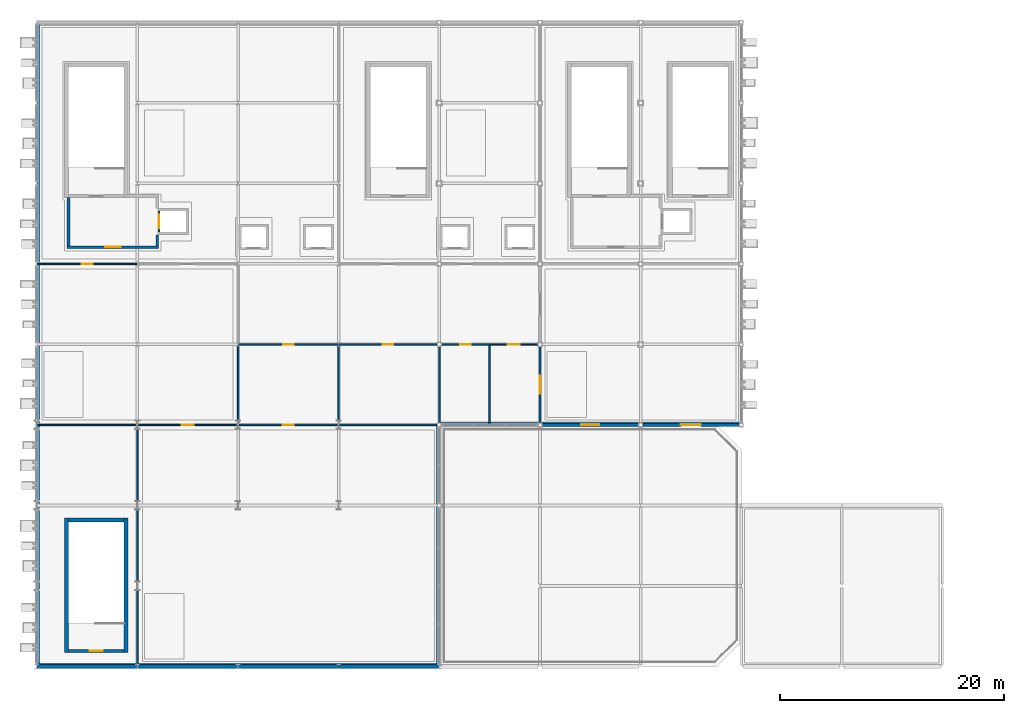
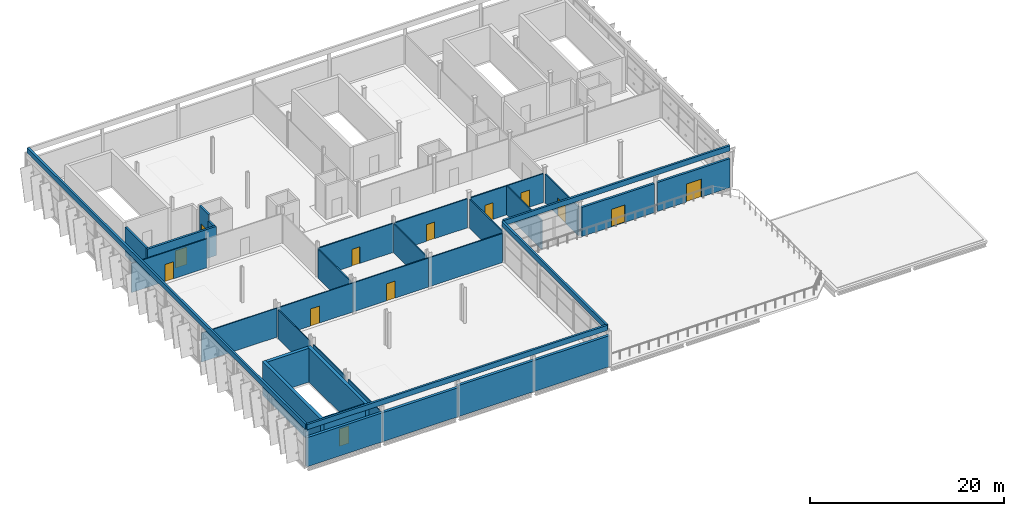
# One storey, part 46 of 52: 35 walls, 13 doors, 13 openings.
"""IFC4 building model written with IfcOpenShell, lengths in metres."""

from ifc_helpers import new_model, si_unit, direction, frame, frame_2d, origin, place, context, subcontext, project, spatial, rectangle, extrude, material, layer, layer_set, type_object, element, fill, save


model = new_model("IFC4")

# Units and contexts
model_context = context("Model", 3, precision=1e-05, world=origin(), true_north=direction((0.0, 1.0)))
body_context = subcontext(model_context, "Body", "Model", "MODEL_VIEW")
ifc_project = project(units=[si_unit("LENGTHUNIT", "METRE"), si_unit("AREAUNIT", "SQUARE_METRE"), si_unit("VOLUMEUNIT", "CUBIC_METRE"), si_unit("PLANEANGLEUNIT", "RADIAN"), si_unit("MASSUNIT", "GRAM", prefix="KILO")], contexts=[model_context])

# Site, building, storey
site_placement = place(None, origin())
site = spatial("IfcSite", under=ifc_project, at=site_placement, CompositionType="ELEMENT")
building_placement = place(site_placement, origin())
building = spatial("IfcBuilding", under=site, at=building_placement, Name="Celestram Park Convention Centre", CompositionType="ELEMENT")
storey_placement = place(building_placement, frame((0.0, 0.0, 24.300048828125)))
storey = spatial("IfcBuildingStorey", under=building, at=storey_placement, Name="L05", CompositionType="ELEMENT", Elevation=24.300048828125)

# Wall, opening, door
ifc_material_1 = material(Name="Concrete Block Masonry C25/30", Category="masonry")
ifc_layer_1 = layer(ifc_material_1, 0.25)
ifc_layer_set_1 = layer_set([ifc_layer_1], Name="Concrete Block Masonry C25/30")
wall_type_1 = type_object("IfcWallType", Name="ARC-WL-COR250", PredefinedType="STANDARD", material=ifc_layer_set_1)
wall_1_placement = place(storey_placement, frame((38.840087890625, 109.375, 0.0), z_axis=(0.0, 0.0, 1.0), x_axis=(1.0, 0.0, 0.0)))
wall_1 = element("IfcWall", 1, at=wall_1_placement, inside=storey, type_object=wall_type_1, Name="Core S13 stair entrance wall", PredefinedType="STANDARD", context=body_context, shape_type="SweptSolid", body=[
    extrude(rectangle(XDim=4.9599609375, YDim=0.25, at=frame_2d((2.47998046875, 0.0))), origin(), (0.0, 0.0, 1.0), 4.260009765625),
])
opening_1_placement = place(wall_1_placement, frame((1.905029296875, 0.0, 0.0)))
opening_1 = element("IfcOpeningElement", 2, at=opening_1_placement, cuts=wall_1, Name="Opening D-ST1", PredefinedType="OPENING", context=body_context, shape_type="SweptSolid", body=[
    extrude(rectangle(XDim=1.14990234375, YDim=2.199951171875, at=frame_2d((0.574951171875, 1.10009765625))), frame((0.0, 0.135009765625, 0.0), z_axis=(0.0, -1.0, 0.0), x_axis=(1.0, 0.0, 0.0)), (0.0, 0.0, 1.0), 0.27001953125),
])
ifc_material_2 = material(Name="Fire-Rated Hollow Metal Steel ASTM A653", Category="steel")
door_type_1 = type_object("IfcDoorType", Name="ARC-DR-ST115", OperationType="NOTDEFINED", PredefinedType="DOOR", material=ifc_material_2)
door_1_placement = place(opening_1_placement, origin())
door_1 = element("IfcDoor", 3, at=door_1_placement, inside=storey, type_object=door_type_1, Name="Exit stair ST-13 fire door", OperationType="SINGLE_SWING_LEFT", OverallHeight=2.199951171875, OverallWidth=1.14990234375, PredefinedType="DOOR", context=body_context, shape_type="SweptSolid", body=[
    extrude(rectangle(XDim=1.14990234375, YDim=2.199951171875, at=frame_2d((0.574951171875, 1.10009765625))), frame((0.0, 0.02490234375, 0.0), z_axis=(0.0, -1.0, 0.0), x_axis=(1.0, 0.0, 0.0)), (0.0, 0.0, 1.0), 0.050048828125),
])
fill(opening_1, door_1)

# Wall
wall_2_placement = place(storey_placement, frame((38.840087890625, 149.93994140625, 0.0), z_axis=(0.0, 0.0, 1.0), x_axis=(0.0, -1.0, 0.0)))
element("IfcWall", 4, at=wall_2_placement, inside=storey, type_object=wall_type_1, Name="Firefighting Lift Lobby C1 W wall", PredefinedType="STANDARD", context=body_context, shape_type="SweptSolid", body=[
    extrude(rectangle(XDim=4.31494140625, YDim=0.25, at=frame_2d((2.157470703125, 0.0))), origin(), (0.0, 0.0, 1.0), 3.64794921875),
])

# Wall, opening, door
wall_3_placement = place(storey_placement, frame((38.715087890625, 145.5, 0.0), z_axis=(0.0, 0.0, 1.0), x_axis=(1.0, 0.0, 0.0)))
wall_3 = element("IfcWall", 5, at=wall_3_placement, inside=storey, type_object=wall_type_1, Name="Firefighting Lift Lobby C1 S wall", PredefinedType="STANDARD", context=body_context, shape_type="SweptSolid", body=[
    extrude(rectangle(XDim=8.18994140625, YDim=0.25, at=frame_2d((4.094970703125, 0.0))), origin(), (0.0, 0.0, 1.0), 3.64794921875),
])
opening_2_placement = place(wall_3_placement, frame((3.39501953125, 0.0, 0.0)))
opening_2 = element("IfcOpeningElement", 6, at=opening_2_placement, cuts=wall_3, Name="Opening D-LB1", PredefinedType="OPENING", context=body_context, shape_type="SweptSolid", body=[
    extrude(rectangle(XDim=1.39990234375, YDim=2.199951171875, at=frame_2d((0.699951171875, 1.10009765625))), frame((0.0, 0.135009765625, 0.0), z_axis=(0.0, -1.0, 0.0), x_axis=(1.0, 0.0, 0.0)), (0.0, 0.0, 1.0), 0.27001953125),
])
ifc_material_3 = material(Name="Fire-Rated Glazed Steel Frame", Category="steel")
door_type_2 = type_object("IfcDoorType", Name="ARC-DR-LB140", OperationType="NOTDEFINED", PredefinedType="DOOR", material=ifc_material_3)
door_2_placement = place(opening_2_placement, origin())
door_2 = element("IfcDoor", 7, at=door_2_placement, inside=storey, type_object=door_type_2, Name="Firefighting Lift Lobby C1 fire door", OperationType="SINGLE_SWING_RIGHT", OverallHeight=2.199951171875, OverallWidth=1.39990234375, PredefinedType="DOOR", context=body_context, shape_type="SweptSolid", body=[
    extrude(rectangle(XDim=1.39990234375, YDim=2.199951171875, at=frame_2d((0.699951171875, 1.10009765625))), frame((0.0, 0.02490234375, 0.0), z_axis=(0.0, -1.0, 0.0), x_axis=(1.0, 0.0, 0.0)), (0.0, 0.0, 1.0), 0.050048828125),
])
fill(opening_2, door_2)

# Wall
wall_4_placement = place(storey_placement, frame((46.780029296875, 145.625, 0.0), z_axis=(0.0, 0.0, 1.0), x_axis=(0.0, 1.0, 0.0)))
element("IfcWall", 8, at=wall_4_placement, inside=storey, type_object=wall_type_1, Name="Firefighting Lift Lobby C1 ES wall", PredefinedType="STANDARD", context=body_context, shape_type="SweptSolid", body=[
    extrude(rectangle(XDim=0.97509765625, YDim=0.25, at=frame_2d((0.487548828125, 0.0))), origin(), (0.0, 0.0, 1.0), 3.64794921875),
])

# Wall, opening, door
ifc_material_4 = material(Name="Precast Concrete C40/50", Category="concrete")
ifc_layer_2 = layer(ifc_material_4, 0.260009765625)
ifc_layer_set_2 = layer_set([ifc_layer_2], Name="Precast Concrete C40/50")
wall_type_2 = type_object("IfcWallType", Name="ARC-WL-EXT260", PredefinedType="STANDARD", material=ifc_layer_set_2)
wall_5_placement = place(storey_placement, frame((98.801025390625, 129.60009765625, 0.0), z_axis=(0.0, 0.0, 1.0), x_axis=(-1.0, 0.0, 0.0)))
wall_5 = element("IfcWall", 9, at=wall_5_placement, inside=storey, type_object=wall_type_2, Name="Bush-hammered precast exterior wall WL-L05-EW246", PredefinedType="STANDARD", context=body_context, shape_type="SweptSolid", body=[
    extrude(rectangle(XDim=8.60205078125, YDim=0.260009765625, at=frame_2d((4.301025390625, 0.0))), origin(), (0.0, 0.0, 1.0), 3.64794921875),
])
opening_3_placement = place(wall_5_placement, frame((3.40087890625, 0.0, 0.0)))
opening_3 = element("IfcOpeningElement", 10, at=opening_3_placement, cuts=wall_5, Name="Opening D-TR1", PredefinedType="OPENING", context=body_context, shape_type="SweptSolid", body=[
    extrude(rectangle(XDim=1.800048828125, YDim=2.25, at=frame_2d((0.89990234375, 1.125))), frame((0.0, 0.139892578125, 0.0), z_axis=(0.0, -1.0, 0.0), x_axis=(1.0, 0.0, 0.0)), (0.0, 0.0, 1.0), 0.280029296875),
])
ifc_material_5 = material(Name="Anodised Aluminium & Tempered Glass", Category="aluminium")
door_type_3 = type_object("IfcDoorType", Name="ARC-DR-TR1800", OperationType="NOTDEFINED", PredefinedType="DOOR", material=ifc_material_5)
door_3_placement = place(opening_3_placement, origin())
door_3 = element("IfcDoor", 11, at=door_3_placement, inside=storey, type_object=door_type_3, Name="Planted roof terrace door DR-L05-TR01", OperationType="DOUBLE_DOOR_SINGLE_SWING", OverallHeight=2.25, OverallWidth=1.800048828125, PredefinedType="DOOR", context=body_context, shape_type="SweptSolid", body=[
    extrude(rectangle(XDim=1.800048828125, YDim=2.25, at=frame_2d((0.89990234375, 1.125))), frame((0.0, 0.02490234375, 0.0), z_axis=(0.0, -1.0, 0.0), x_axis=(1.0, 0.0, 0.0)), (0.0, 0.0, 1.0), 0.050048828125),
])
fill(opening_3, door_3)

wall_6_placement = place(storey_placement, frame((89.801025390625, 129.60009765625, 0.0), z_axis=(0.0, 0.0, 1.0), x_axis=(-1.0, 0.0, 0.0)))
wall_6 = element("IfcWall", 12, at=wall_6_placement, inside=storey, type_object=wall_type_2, Name="Bush-hammered precast exterior wall WL-L05-EW247", PredefinedType="STANDARD", context=body_context, shape_type="SweptSolid", body=[
    extrude(rectangle(XDim=8.60205078125, YDim=0.260009765625, at=frame_2d((4.301025390625, 0.0))), origin(), (0.0, 0.0, 1.0), 3.64794921875),
])
opening_4_placement = place(wall_6_placement, frame((3.5009765625, 0.0, 0.0)))
opening_4 = element("IfcOpeningElement", 13, at=opening_4_placement, cuts=wall_6, Name="Opening D-TR2", PredefinedType="OPENING", context=body_context, shape_type="SweptSolid", body=[
    extrude(rectangle(XDim=1.60009765625, YDim=2.199951171875, at=frame_2d((0.800048828125, 1.10009765625))), frame((0.0, 0.139892578125, 0.0), z_axis=(0.0, -1.0, 0.0), x_axis=(1.0, 0.0, 0.0)), (0.0, 0.0, 1.0), 0.280029296875),
])
door_type_4 = type_object("IfcDoorType", Name="ARC-DR-TR1600", OperationType="NOTDEFINED", PredefinedType="DOOR", material=ifc_material_5)
door_4_placement = place(opening_4_placement, origin())
door_4 = element("IfcDoor", 14, at=door_4_placement, inside=storey, type_object=door_type_4, Name="Planted roof terrace door DR-L05-TR02", OperationType="DOUBLE_DOOR_SINGLE_SWING", OverallHeight=2.199951171875, OverallWidth=1.60009765625, PredefinedType="DOOR", context=body_context, shape_type="SweptSolid", body=[
    extrude(rectangle(XDim=1.60009765625, YDim=2.199951171875, at=frame_2d((0.800048828125, 1.10009765625))), frame((0.0, 0.02490234375, 0.0), z_axis=(0.0, -1.0, 0.0), x_axis=(1.0, 0.0, 0.0)), (0.0, 0.0, 1.0), 0.050048828125),
])
fill(opening_4, door_4)

# Walls
ifc_layer_3 = layer(ifc_material_4, 0.320068359375)
ifc_layer_set_3 = layer_set([ifc_layer_3], Name="Precast Concrete C40/50")
wall_type_3 = type_object("IfcWallType", Name="ARC-WL-EXT320", PredefinedType="STANDARD", material=ifc_layer_set_3)
for number, where, z_axis, x_axis, name in (
    (15, (71.993896484375, 108.0, 0.0), (0.0, 0.0, 1.0), (-1.0, 0.0, 0.0), "Bush-hammered precast exterior wall WL-L05-EW235"),
    (16, (62.993896484375, 108.0, 0.0), (0.0, 0.0, 1.0), (-1.0, 0.0, 0.0), "Bush-hammered precast exterior wall WL-L05-EW236"),
):
    element("IfcWall", number, at=place(storey_placement, frame(where, z_axis=z_axis, x_axis=x_axis)), inside=storey, type_object=wall_type_3, Name=name, PredefinedType="STANDARD", context=body_context, shape_type="SweptSolid", body=[
        extrude(rectangle(XDim=8.98779296875, YDim=0.320068359375, at=frame_2d((4.493896484375, 0.0))), origin(), (0.0, 0.0, 1.0), 3.904052734375),
    ])
for number, where, z_axis, x_axis, name in (
    (17, (53.993896484375, 108.0, 0.0), (0.0, 0.0, 1.0), (-1.0, 0.0, 0.0), "Bush-hammered precast exterior wall WL-L05-EW237"),
    (18, (44.993896484375, 108.0, 0.0), (0.0, 0.0, 1.0), (-1.0, 0.0, 0.0), "Bush-hammered precast exterior wall WL-L05-EW238"),
):
    element("IfcWall", number, at=place(storey_placement, frame(where, z_axis=z_axis, x_axis=x_axis)), inside=storey, type_object=wall_type_3, Name=name, PredefinedType="STANDARD", context=body_context, shape_type="SweptSolid", body=[
        extrude(rectangle(XDim=8.98779296875, YDim=0.320068359375, at=frame_2d((4.493896484375, 0.0))), origin(), (0.0, 0.0, 1.0), 3.64794921875),
    ])
ifc_layer_4 = layer(ifc_material_4, 0.239990234375)
ifc_layer_set_4 = layer_set([ifc_layer_4], Name="Precast Concrete C40/50")
wall_type_4 = type_object("IfcWallType", Name="ARC-WL-PAR240", PredefinedType="PARAPET", material=ifc_layer_set_4)
wall_7_placement = place(storey_placement, frame((98.860107421875, 129.739990234375, 4.5), z_axis=(0.0, 0.0, 1.0), x_axis=(-1.0, 0.0, 0.0)))
element("IfcWall", 19, at=wall_7_placement, inside=storey, type_object=wall_type_4, Name="Flat roof parapet WL-L05-PR17", PredefinedType="PARAPET", context=body_context, shape_type="SweptSolid", body=[
    extrude(rectangle(XDim=26.860107421875, YDim=0.239990234375, at=frame_2d((13.43017578125, 0.0))), origin(), (0.0, 0.0, 1.0), 0.64990234375),
])
wall_8_placement = place(storey_placement, frame((71.860107421875, 129.60009765625, 4.5), z_axis=(0.0, 0.0, 1.0), x_axis=(0.0, -1.0, 0.0)))
element("IfcWall", 20, at=wall_8_placement, inside=storey, type_object=wall_type_4, Name="Flat roof parapet WL-L05-PR18", PredefinedType="PARAPET", context=body_context, shape_type="SweptSolid", body=[
    extrude(rectangle(XDim=21.460205078125, YDim=0.239990234375, at=frame_2d((10.72998046875, 0.0))), origin(), (0.0, 0.0, 1.0), 0.64990234375),
])
wall_9_placement = place(storey_placement, frame((71.860107421875, 108.139892578125, 4.5), z_axis=(0.0, 0.0, 1.0), x_axis=(-1.0, 0.0, 0.0)))
element("IfcWall", 21, at=wall_9_placement, inside=storey, type_object=wall_type_4, Name="Flat roof parapet WL-L05-PR19", PredefinedType="PARAPET", context=body_context, shape_type="SweptSolid", body=[
    extrude(rectangle(XDim=35.72021484375, YDim=0.239990234375, at=frame_2d((17.860107421875, 0.0))), origin(), (0.0, 0.0, 1.0), 0.64990234375),
])
wall_10_placement = place(storey_placement, frame((36.139892578125, 108.139892578125, 4.5), z_axis=(0.0, 0.0, 1.0), x_axis=(0.0, 1.0, 0.0)))
element("IfcWall", 22, at=wall_10_placement, inside=storey, type_object=wall_type_4, Name="Flat roof parapet WL-L05-PR20", PredefinedType="PARAPET", context=body_context, shape_type="SweptSolid", body=[
    extrude(rectangle(XDim=57.320068359375, YDim=0.239990234375, at=frame_2d((28.66015625, 0.0))), origin(), (0.0, 0.0, 1.0), 0.64990234375),
])
ifc_material_6 = material(Name="Standard Gypsum & Steel Stud 120 mm", Category="steel")
ifc_layer_5 = layer(ifc_material_6, 0.1201171875)
ifc_layer_set_5 = layer_set([ifc_layer_5], Name="Standard Gypsum & Steel Stud 120 mm")
wall_type_5 = type_object("IfcWallType", Name="ARC-WL-PRT120", PredefinedType="PARTITIONING", material=ifc_layer_set_5)
wall_11_placement = place(storey_placement, frame((36.00634765625, 129.60009765625, 0.0), z_axis=(0.0, 0.0, 1.0), x_axis=(1.0, 0.0, 0.0)))
element("IfcWall", 23, at=wall_11_placement, inside=storey, type_object=wall_type_5, Name="Interior partition WL-L05-IN0985", PredefinedType="PARTITIONING", context=body_context, shape_type="SweptSolid", body=[
    extrude(rectangle(XDim=8.9873046875, YDim=0.1201171875, at=frame_2d((4.49365234375, 0.0))), origin(), (0.0, 0.0, 1.0), 3.64794921875),
])

# Wall, opening, door
wall_12_placement = place(storey_placement, frame((45.00634765625, 129.60009765625, 0.0), z_axis=(0.0, 0.0, 1.0), x_axis=(1.0, 0.0, 0.0)))
wall_12 = element("IfcWall", 24, at=wall_12_placement, inside=storey, type_object=wall_type_5, Name="Interior partition WL-L05-IN0986", PredefinedType="PARTITIONING", context=body_context, shape_type="SweptSolid", body=[
    extrude(rectangle(XDim=8.9873046875, YDim=0.1201171875, at=frame_2d((4.49365234375, 0.0))), origin(), (0.0, 0.0, 1.0), 3.64794921875),
])
opening_5_placement = place(wall_12_placement, frame((3.96875, 0.0, 0.0)))
opening_5 = element("IfcOpeningElement", 25, at=opening_5_placement, cuts=wall_12, Name="Opening D-06", PredefinedType="OPENING", context=body_context, shape_type="SweptSolid", body=[
    extrude(rectangle(XDim=1.050048828125, YDim=2.14990234375, at=frame_2d((0.52490234375, 1.074951171875))), frame((0.0, 0.070068359375, 0.0), z_axis=(0.0, -1.0, 0.0), x_axis=(1.0, 0.0, 0.0)), (0.0, 0.0, 1.0), 0.14013671875),
])
ifc_material_7 = material(Name="Solid Core White Oak Single Door", Category="wood")
door_type_5 = type_object("IfcDoorType", Name="ARC-DR-RM105", OperationType="NOTDEFINED", PredefinedType="DOOR", material=ifc_material_7)
door_5_placement = place(opening_5_placement, origin())
door_5 = element("IfcDoor", 26, at=door_5_placement, inside=storey, type_object=door_type_5, Name="Crown Speaker Lounge entrance door", OperationType="SINGLE_SWING_LEFT", OverallHeight=2.14990234375, OverallWidth=1.050048828125, PredefinedType="DOOR", context=body_context, shape_type="SweptSolid", body=[
    extrude(rectangle(XDim=1.050048828125, YDim=2.14990234375, at=frame_2d((0.52490234375, 1.074951171875))), frame((0.0, 0.02490234375, 0.0), z_axis=(0.0, -1.0, 0.0), x_axis=(1.0, 0.0, 0.0)), (0.0, 0.0, 1.0), 0.050048828125),
])
fill(opening_5, door_5)

wall_13_placement = place(storey_placement, frame((76.5, 136.800048828125, 0.0), z_axis=(0.0, 0.0, 1.0), x_axis=(1.0, 0.0, 0.0)))
wall_13 = element("IfcWall", 27, at=wall_13_placement, inside=storey, type_object=wall_type_5, Name="Interior partition WL-L05-IN0992", PredefinedType="PARTITIONING", context=body_context, shape_type="SweptSolid", body=[
    extrude(rectangle(XDim=4.301025390625, YDim=0.1201171875, at=frame_2d((2.150390625, 0.0))), origin(), (0.0, 0.0, 1.0), 3.64794921875),
])
opening_6_placement = place(wall_13_placement, frame((1.62548828125, 0.0, 0.0)))
opening_6 = element("IfcOpeningElement", 28, at=opening_6_placement, cuts=wall_13, Name="Opening D-06", PredefinedType="OPENING", context=body_context, shape_type="SweptSolid", body=[
    extrude(rectangle(XDim=1.050048828125, YDim=2.14990234375, at=frame_2d((0.52490234375, 1.074951171875))), frame((0.0, 0.070068359375, 0.0), z_axis=(0.0, -1.0, 0.0), x_axis=(1.0, 0.0, 0.0)), (0.0, 0.0, 1.0), 0.14013671875),
])
door_6_placement = place(opening_6_placement, origin())
door_6 = element("IfcDoor", 29, at=door_6_placement, inside=storey, type_object=door_type_5, Name="Crown Protocol Office L05 entrance door", OperationType="SINGLE_SWING_RIGHT", OverallHeight=2.14990234375, OverallWidth=1.050048828125, PredefinedType="DOOR", context=body_context, shape_type="SweptSolid", body=[
    extrude(rectangle(XDim=1.050048828125, YDim=2.14990234375, at=frame_2d((0.52490234375, 1.074951171875))), frame((0.0, 0.02490234375, 0.0), z_axis=(0.0, -1.0, 0.0), x_axis=(1.0, 0.0, 0.0)), (0.0, 0.0, 1.0), 0.050048828125),
])
fill(opening_6, door_6)

wall_14_placement = place(storey_placement, frame((36.0048828125, 144.0, 0.0), z_axis=(0.0, 0.0, 1.0), x_axis=(1.0, 0.0, 0.0)))
wall_14 = element("IfcWall", 30, at=wall_14_placement, inside=storey, type_object=wall_type_5, Name="Interior partition WL-L05-IN0993", PredefinedType="PARTITIONING", context=body_context, shape_type="SweptSolid", body=[
    extrude(rectangle(XDim=8.990234375, YDim=0.1201171875, at=frame_2d((4.4951171875, 0.0))), origin(), (0.0, 0.0, 1.0), 3.64794921875),
])
opening_7_placement = place(wall_14_placement, frame((3.9951171875, 0.0, 0.0)))
opening_7 = element("IfcOpeningElement", 31, at=opening_7_placement, cuts=wall_14, Name="Opening D-07", PredefinedType="OPENING", context=body_context, shape_type="SweptSolid", body=[
    extrude(rectangle(XDim=1.0, YDim=2.14990234375, at=frame_2d((0.5, 1.074951171875))), frame((0.0, 0.070068359375, 0.0), z_axis=(0.0, -1.0, 0.0), x_axis=(1.0, 0.0, 0.0)), (0.0, 0.0, 1.0), 0.14013671875),
])
door_type_6 = type_object("IfcDoorType", Name="ARC-DR-RM100", OperationType="NOTDEFINED", PredefinedType="DOOR", material=ifc_material_7)
door_7_placement = place(opening_7_placement, origin())
door_7 = element("IfcDoor", 32, at=door_7_placement, inside=storey, type_object=door_type_6, Name="Lake Michigan Horizon Dining Salon entrance door", OperationType="SINGLE_SWING_LEFT", OverallHeight=2.14990234375, OverallWidth=1.0, PredefinedType="DOOR", context=body_context, shape_type="SweptSolid", body=[
    extrude(rectangle(XDim=1.0, YDim=2.14990234375, at=frame_2d((0.5, 1.074951171875))), frame((0.0, 0.02490234375, 0.0), z_axis=(0.0, -1.0, 0.0), x_axis=(1.0, 0.0, 0.0)), (0.0, 0.0, 1.0), 0.050048828125),
])
fill(opening_7, door_7)

# Walls
wall_15_placement = place(storey_placement, frame((45.0, 108.1845703125, 0.0), z_axis=(0.0, 0.0, 1.0), x_axis=(0.0, 1.0, 0.0)))
element("IfcWall", 33, at=wall_15_placement, inside=storey, type_object=wall_type_5, Name="Interior partition WL-L05-IN1000", PredefinedType="PARTITIONING", context=body_context, shape_type="SweptSolid", body=[
    extrude(rectangle(XDim=6.63134765625, YDim=0.1201171875, at=frame_2d((3.315673828125, 0.0))), origin(), (0.0, 0.0, 1.0), 3.64794921875),
])
for number, where, z_axis, x_axis, name in (
    (34, (45.0, 115.583984375, 0.0), (0.0, 0.0, 1.0), (0.0, 1.0, 0.0), "Interior partition WL-L05-IN1001"),
    (35, (45.0, 122.783935546875, 0.0), (0.0, 0.0, 1.0), (0.0, 1.0, 0.0), "Interior partition WL-L05-IN1002"),
):
    element("IfcWall", number, at=place(storey_placement, frame(where, z_axis=z_axis, x_axis=x_axis)), inside=storey, type_object=wall_type_5, Name=name, PredefinedType="PARTITIONING", context=body_context, shape_type="SweptSolid", body=[
        extrude(rectangle(XDim=6.43212890625, YDim=0.1201171875, at=frame_2d((3.216064453125, 0.0))), origin(), (0.0, 0.0, 1.0), 3.64794921875),
    ])

# Wall, opening, door
ifc_material_8 = material(Name="Moisture-Resistant Gypsum Partition 140 mm", Category="gypsum")
ifc_layer_6 = layer(ifc_material_8, 0.139892578125)
ifc_layer_set_6 = layer_set([ifc_layer_6], Name="Moisture-Resistant Gypsum Partition 140 mm")
wall_type_6 = type_object("IfcWallType", Name="ARC-WL-PRT140", PredefinedType="PARTITIONING", material=ifc_layer_set_6)
wall_16_placement = place(storey_placement, frame((54.00634765625, 129.60009765625, 0.0), z_axis=(0.0, 0.0, 1.0), x_axis=(1.0, 0.0, 0.0)))
wall_16 = element("IfcWall", 36, at=wall_16_placement, inside=storey, type_object=wall_type_6, Name="Interior partition WL-L05-IN0987", PredefinedType="PARTITIONING", context=body_context, shape_type="SweptSolid", body=[
    extrude(rectangle(XDim=8.9873046875, YDim=0.139892578125, at=frame_2d((4.49365234375, 0.0))), origin(), (0.0, 0.0, 1.0), 3.64794921875),
])
opening_8_placement = place(wall_16_placement, frame((3.99365234375, 0.0, 0.0)))
opening_8 = element("IfcOpeningElement", 37, at=opening_8_placement, cuts=wall_16, Name="Opening D-07", PredefinedType="OPENING", context=body_context, shape_type="SweptSolid", body=[
    extrude(rectangle(XDim=1.0, YDim=2.14990234375, at=frame_2d((0.5, 1.074951171875))), frame((0.0, 0.079833984375, 0.0), z_axis=(0.0, -1.0, 0.0), x_axis=(1.0, 0.0, 0.0)), (0.0, 0.0, 1.0), 0.159912109375),
])
door_8_placement = place(opening_8_placement, origin())
door_8 = element("IfcDoor", 38, at=door_8_placement, inside=storey, type_object=door_type_6, Name="Crown Speaker Lounge entrance door", OperationType="SINGLE_SWING_RIGHT", OverallHeight=2.14990234375, OverallWidth=1.0, PredefinedType="DOOR", context=body_context, shape_type="SweptSolid", body=[
    extrude(rectangle(XDim=1.0, YDim=2.14990234375, at=frame_2d((0.5, 1.074951171875))), frame((0.0, 0.02490234375, 0.0), z_axis=(0.0, -1.0, 0.0), x_axis=(1.0, 0.0, 0.0)), (0.0, 0.0, 1.0), 0.050048828125),
])
fill(opening_8, door_8)

# Wall
wall_17_placement = place(storey_placement, frame((63.00634765625, 129.60009765625, 0.0), z_axis=(0.0, 0.0, 1.0), x_axis=(1.0, 0.0, 0.0)))
element("IfcWall", 39, at=wall_17_placement, inside=storey, type_object=wall_type_6, Name="Interior partition WL-L05-IN0988", PredefinedType="PARTITIONING", context=body_context, shape_type="SweptSolid", body=[
    extrude(rectangle(XDim=8.794677734375, YDim=0.139892578125, at=frame_2d((4.3974609375, 0.0))), origin(), (0.0, 0.0, 1.0), 3.64794921875),
])

# Wall, opening, door
wall_18_placement = place(storey_placement, frame((54.0048828125, 136.800048828125, 0.0), z_axis=(0.0, 0.0, 1.0), x_axis=(1.0, 0.0, 0.0)))
wall_18 = element("IfcWall", 40, at=wall_18_placement, inside=storey, type_object=wall_type_6, Name="Interior partition WL-L05-IN0989", PredefinedType="PARTITIONING", context=body_context, shape_type="SweptSolid", body=[
    extrude(rectangle(XDim=8.990234375, YDim=0.139892578125, at=frame_2d((4.4951171875, 0.0))), origin(), (0.0, 0.0, 1.0), 3.64794921875),
])
opening_9_placement = place(wall_18_placement, frame((4.02001953125, 0.0, 0.0)))
opening_9 = element("IfcOpeningElement", 41, at=opening_9_placement, cuts=wall_18, Name="Opening D-08", PredefinedType="OPENING", context=body_context, shape_type="SweptSolid", body=[
    extrude(rectangle(XDim=0.949951171875, YDim=2.10009765625, at=frame_2d((0.47509765625, 1.050048828125))), frame((0.0, 0.079833984375, 0.0), z_axis=(0.0, -1.0, 0.0), x_axis=(1.0, 0.0, 0.0)), (0.0, 0.0, 1.0), 0.159912109375),
])
ifc_material_9 = material(Name="Laminate Moisture-Resistant Restroom Door", Category="wood")
door_type_7 = type_object("IfcDoorType", Name="ARC-DR-WC095", OperationType="NOTDEFINED", PredefinedType="DOOR", material=ifc_material_9)
door_9_placement = place(opening_9_placement, origin())
door_9 = element("IfcDoor", 42, at=door_9_placement, inside=storey, type_object=door_type_7, Name="Men Restroom L05 entrance door", OperationType="SINGLE_SWING_LEFT", OverallHeight=2.10009765625, OverallWidth=0.949951171875, PredefinedType="DOOR", context=body_context, shape_type="SweptSolid", body=[
    extrude(rectangle(XDim=0.949951171875, YDim=2.10009765625, at=frame_2d((0.47509765625, 1.050048828125))), frame((0.0, 0.02490234375, 0.0), z_axis=(0.0, -1.0, 0.0), x_axis=(1.0, 0.0, 0.0)), (0.0, 0.0, 1.0), 0.050048828125),
])
fill(opening_9, door_9)

wall_19_placement = place(storey_placement, frame((63.0048828125, 136.800048828125, 0.0), z_axis=(0.0, 0.0, 1.0), x_axis=(1.0, 0.0, 0.0)))
wall_19 = element("IfcWall", 43, at=wall_19_placement, inside=storey, type_object=wall_type_6, Name="Interior partition WL-L05-IN0990", PredefinedType="PARTITIONING", context=body_context, shape_type="SweptSolid", body=[
    extrude(rectangle(XDim=8.796142578125, YDim=0.139892578125, at=frame_2d((4.39794921875, 0.0))), origin(), (0.0, 0.0, 1.0), 3.64794921875),
])
opening_10_placement = place(wall_19_placement, frame((3.923095703125, 0.0, 0.0)))
opening_10 = element("IfcOpeningElement", 44, at=opening_10_placement, cuts=wall_19, Name="Opening D-08", PredefinedType="OPENING", context=body_context, shape_type="SweptSolid", body=[
    extrude(rectangle(XDim=0.949951171875, YDim=2.10009765625, at=frame_2d((0.47509765625, 1.050048828125))), frame((0.0, 0.079833984375, 0.0), z_axis=(0.0, -1.0, 0.0), x_axis=(1.0, 0.0, 0.0)), (0.0, 0.0, 1.0), 0.159912109375),
])
door_10_placement = place(opening_10_placement, origin())
door_10 = element("IfcDoor", 45, at=door_10_placement, inside=storey, type_object=door_type_7, Name="Women Restroom L05 entrance door", OperationType="SINGLE_SWING_RIGHT", OverallHeight=2.10009765625, OverallWidth=0.949951171875, PredefinedType="DOOR", context=body_context, shape_type="SweptSolid", body=[
    extrude(rectangle(XDim=0.949951171875, YDim=2.10009765625, at=frame_2d((0.47509765625, 1.050048828125))), frame((0.0, 0.02490234375, 0.0), z_axis=(0.0, -1.0, 0.0), x_axis=(1.0, 0.0, 0.0)), (0.0, 0.0, 1.0), 0.050048828125),
])
fill(opening_10, door_10)

wall_20_placement = place(storey_placement, frame((72.198974609375, 136.800048828125, 0.0), z_axis=(0.0, 0.0, 1.0), x_axis=(1.0, 0.0, 0.0)))
wall_20 = element("IfcWall", 46, at=wall_20_placement, inside=storey, type_object=wall_type_6, Name="Interior partition WL-L05-IN0991", PredefinedType="PARTITIONING", context=body_context, shape_type="SweptSolid", body=[
    extrude(rectangle(XDim=4.301025390625, YDim=0.139892578125, at=frame_2d((2.150390625, 0.0))), origin(), (0.0, 0.0, 1.0), 3.64794921875),
])
opening_11_placement = place(wall_20_placement, frame((1.675537109375, 0.0, 0.0)))
opening_11 = element("IfcOpeningElement", 47, at=opening_11_placement, cuts=wall_20, Name="Opening D-08", PredefinedType="OPENING", context=body_context, shape_type="SweptSolid", body=[
    extrude(rectangle(XDim=0.949951171875, YDim=2.10009765625, at=frame_2d((0.47509765625, 1.050048828125))), frame((0.0, 0.079833984375, 0.0), z_axis=(0.0, -1.0, 0.0), x_axis=(1.0, 0.0, 0.0)), (0.0, 0.0, 1.0), 0.159912109375),
])
door_11_placement = place(opening_11_placement, origin())
door_11 = element("IfcDoor", 48, at=door_11_placement, inside=storey, type_object=door_type_7, Name="Accessible Restroom L05 entrance door", OperationType="SINGLE_SWING_LEFT", OverallHeight=2.10009765625, OverallWidth=0.949951171875, PredefinedType="DOOR", context=body_context, shape_type="SweptSolid", body=[
    extrude(rectangle(XDim=0.949951171875, YDim=2.10009765625, at=frame_2d((0.47509765625, 1.050048828125))), frame((0.0, 0.02490234375, 0.0), z_axis=(0.0, -1.0, 0.0), x_axis=(1.0, 0.0, 0.0)), (0.0, 0.0, 1.0), 0.050048828125),
])
fill(opening_11, door_11)

# Walls
for number, where, z_axis, x_axis, name in (
    (49, (54.0, 129.98388671875, 0.0), (0.0, 0.0, 1.0), (0.0, 1.0, 0.0), "Interior partition WL-L05-IN1003"),
    (50, (63.0, 129.98388671875, 0.0), (0.0, 0.0, 1.0), (0.0, 1.0, 0.0), "Interior partition WL-L05-IN1005"),
):
    element("IfcWall", number, at=place(storey_placement, frame(where, z_axis=z_axis, x_axis=x_axis)), inside=storey, type_object=wall_type_6, Name=name, PredefinedType="PARTITIONING", context=body_context, shape_type="SweptSolid", body=[
        extrude(rectangle(XDim=6.66455078125, YDim=0.139892578125, at=frame_2d((3.332275390625, 0.0))), origin(), (0.0, 0.0, 1.0), 3.64794921875),
    ])
wall_21_placement = place(storey_placement, frame((72.0, 129.799072265625, 0.0), z_axis=(0.0, 0.0, 1.0), x_axis=(0.0, 1.0, 0.0)))
element("IfcWall", 51, at=wall_21_placement, inside=storey, type_object=wall_type_6, Name="Interior partition WL-L05-IN1009", PredefinedType="PARTITIONING", context=body_context, shape_type="SweptSolid", body=[
    extrude(rectangle(XDim=6.802001953125, YDim=0.139892578125, at=frame_2d((3.40087890625, 0.0))), origin(), (0.0, 0.0, 1.0), 3.64794921875),
])
wall_22_placement = place(storey_placement, frame((76.5, 129.60009765625, 0.0), z_axis=(0.0, 0.0, 1.0), x_axis=(0.0, 1.0, 0.0)))
element("IfcWall", 52, at=wall_22_placement, inside=storey, type_object=wall_type_6, Name="Interior partition WL-L05-IN1010", PredefinedType="PARTITIONING", context=body_context, shape_type="SweptSolid", body=[
    extrude(rectangle(XDim=7.199951171875, YDim=0.139892578125, at=frame_2d((3.60009765625, 0.0))), origin(), (0.0, 0.0, 1.0), 3.64794921875),
])

# Wall, opening, door
ifc_material_10 = material(Name="Acoustic Gypsum & Steel Stud 160 mm", Category="steel")
ifc_layer_7 = layer(ifc_material_10, 0.159912109375)
ifc_layer_set_7 = layer_set([ifc_layer_7], Name="Acoustic Gypsum & Steel Stud 160 mm")
wall_type_7 = type_object("IfcWallType", Name="ARC-WL-PRT160", PredefinedType="PARTITIONING", material=ifc_layer_set_7)
wall_23_placement = place(storey_placement, frame((81.0, 129.799072265625, 0.0), z_axis=(0.0, 0.0, 1.0), x_axis=(0.0, 1.0, 0.0)))
wall_23 = element("IfcWall", 53, at=wall_23_placement, inside=storey, type_object=wall_type_7, Name="Interior partition WL-L05-IN1011", PredefinedType="PARTITIONING", context=body_context, shape_type="SweptSolid", body=[
    extrude(rectangle(XDim=6.802001953125, YDim=0.159912109375, at=frame_2d((3.40087890625, 0.0))), origin(), (0.0, 0.0, 1.0), 3.64794921875),
])
opening_12_placement = place(wall_23_placement, frame((2.60107421875, 0.0, 0.0)))
opening_12 = element("IfcOpeningElement", 54, at=opening_12_placement, cuts=wall_23, Name="Opening D-05", PredefinedType="OPENING", context=body_context, shape_type="SweptSolid", body=[
    extrude(rectangle(XDim=1.60009765625, YDim=2.199951171875, at=frame_2d((0.800048828125, 1.10009765625))), frame((0.0, 0.08984375, 0.0), z_axis=(0.0, -1.0, 0.0), x_axis=(1.0, 0.0, 0.0)), (0.0, 0.0, 1.0), 0.179931640625),
])
ifc_material_11 = material(Name="Solid White Oak Double Door", Category="wood")
door_type_8 = type_object("IfcDoorType", Name="ARC-DR-MTG160", OperationType="NOTDEFINED", PredefinedType="DOOR", material=ifc_material_11)
door_12_placement = place(opening_12_placement, origin())
door_12 = element("IfcDoor", 55, at=door_12_placement, inside=storey, type_object=door_type_8, Name="Crown Summit Assembly Room entrance door", OperationType="DOUBLE_DOOR_SINGLE_SWING", OverallHeight=2.199951171875, OverallWidth=1.60009765625, PredefinedType="DOOR", context=body_context, shape_type="SweptSolid", body=[
    extrude(rectangle(XDim=1.60009765625, YDim=2.199951171875, at=frame_2d((0.800048828125, 1.10009765625))), frame((0.0, 0.02490234375, 0.0), z_axis=(0.0, -1.0, 0.0), x_axis=(1.0, 0.0, 0.0)), (0.0, 0.0, 1.0), 0.050048828125),
])
fill(opening_12, door_12)

ifc_layer_8 = layer(ifc_material_1, 0.219970703125)
ifc_layer_set_8 = layer_set([ifc_layer_8], Name="Concrete Block Masonry C25/30")
wall_type_8 = type_object("IfcWallType", Name="ARC-WL-SHF220", PredefinedType="STANDARD", material=ifc_layer_set_8)
wall_24_placement = place(storey_placement, frame((46.929931640625, 148.735107421875, 0.0), z_axis=(0.0, 0.0, 1.0), x_axis=(0.0, -1.0, 0.0)))
wall_24 = element("IfcWall", 56, at=wall_24_placement, inside=storey, type_object=wall_type_8, Name="Lift LF-01 shaft wall W", PredefinedType="STANDARD", context=body_context, shape_type="SweptSolid", body=[
    extrude(rectangle(XDim=1.8701171875, YDim=0.219970703125, at=frame_2d((0.93505859375, 0.0))), origin(), (0.0, 0.0, 1.0), 4.260009765625),
])
opening_13_placement = place(wall_24_placement, frame((0.3349609375, 0.0, 0.0)))
opening_13 = element("IfcOpeningElement", 57, at=opening_13_placement, cuts=wall_24, Name="Opening LD-01", PredefinedType="OPENING", context=body_context, shape_type="SweptSolid", body=[
    extrude(rectangle(XDim=1.199951171875, YDim=2.199951171875, at=frame_2d((0.60009765625, 1.10009765625))), frame((0.0, 0.119873046875, 0.0), z_axis=(0.0, -1.0, 0.0), x_axis=(1.0, 0.0, 0.0)), (0.0, 0.0, 1.0), 0.239990234375),
])
ifc_material_12 = material(Name="Brushed Stainless Steel AISI 304", Category="steel")
door_type_9 = type_object("IfcDoorType", Name="ARC-DR-LFT120", OperationType="NOTDEFINED", PredefinedType="DOOR", material=ifc_material_12)
door_13_placement = place(opening_13_placement, origin())
door_13 = element("IfcDoor", 58, at=door_13_placement, inside=storey, type_object=door_type_9, Name="Lift LF-01 sliding landing door", OperationType="DOUBLE_DOOR_SLIDING", OverallHeight=2.199951171875, OverallWidth=1.199951171875, PredefinedType="DOOR", context=body_context, shape_type="SweptSolid", body=[
    extrude(rectangle(XDim=1.199951171875, YDim=2.199951171875, at=frame_2d((0.60009765625, 1.10009765625))), frame((0.0, 0.02490234375, 0.0), z_axis=(0.0, -1.0, 0.0), x_axis=(1.0, 0.0, 0.0)), (0.0, 0.0, 1.0), 0.050048828125),
])
fill(opening_13, door_13)

# Walls
ifc_material_13 = material(Name="Concrete C40/50", Category="concrete")
ifc_layer_9 = layer(ifc_material_13, 0.3798828125)
ifc_layer_set_9 = layer_set([ifc_layer_9], Name="Concrete C40/50")
wall_type_9 = type_object("IfcWallType", Name="STR-WL-SHR380", PredefinedType="SHEAR", material=ifc_layer_set_9)
for number, where, z_axis, x_axis, name in (
    (59, (38.64990234375, 109.25, 0.0), (0.0, 0.0, 1.0), (0.0, 1.0, 0.0), "Core S13 shear wall L"),
    (60, (43.989990234375, 121.280029296875, 0.0), (0.0, 0.0, 1.0), (0.0, -1.0, 0.0), "Core S13 shear wall R"),
):
    element("IfcWall", number, at=place(storey_placement, frame(where, z_axis=z_axis, x_axis=x_axis)), inside=storey, type_object=wall_type_9, Name=name, PredefinedType="SHEAR", context=body_context, shape_type="SweptSolid", body=[
        extrude(rectangle(XDim=12.030029296875, YDim=0.3798828125, at=frame_2d((6.01513671875, 0.0))), origin(), (0.0, 0.0, 1.0), 4.260009765625),
    ])
wall_25_placement = place(storey_placement, frame((38.840087890625, 121.090087890625, 0.0), z_axis=(0.0, 0.0, 1.0), x_axis=(1.0, 0.0, 0.0)))
element("IfcWall", 61, at=wall_25_placement, inside=storey, type_object=wall_type_9, Name="Core S13 shear wall F", PredefinedType="SHEAR", context=body_context, shape_type="SweptSolid", body=[
    extrude(rectangle(XDim=4.9599609375, YDim=0.3798828125, at=frame_2d((2.47998046875, 0.0))), origin(), (0.0, 0.0, 1.0), 4.260009765625),
])

save(model, "model.ifc")
